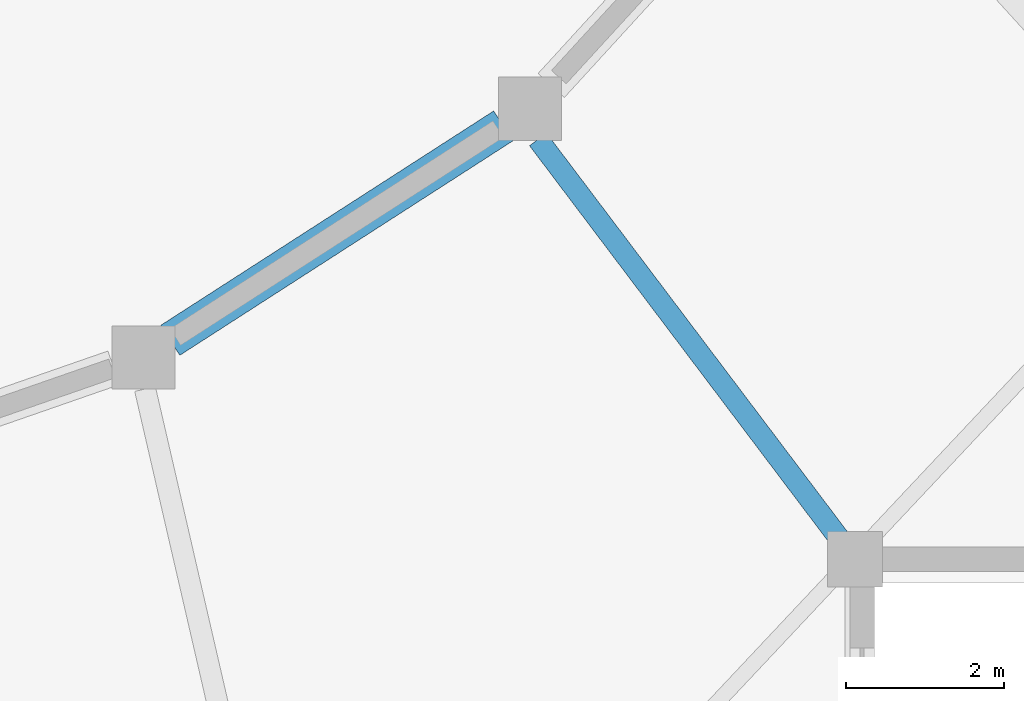
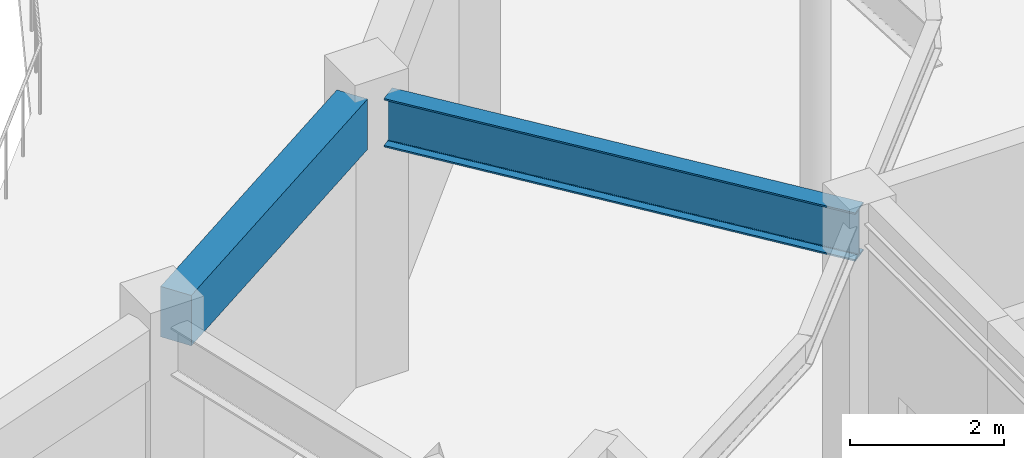
# One storey, part 14 of 58: 2 beams.
"""IFC4 building model written with IfcOpenShell, lengths in metres."""

import ifcopenshell
import ifcopenshell.guid

model = None  # the IFC model being written
_history = None  # IfcOwnerHistory: only IFC2X3 demands one
_inside = {}  # id of a spatial element -> (the spatial element, [elements in it])
_under = {}  # id of a project, library or spatial element -> (it, [spatial elements below it])
_declared = {}  # id of a project -> (the project, [libraries it declares])
_typed = {}  # id of a type object -> (the type object, [elements of that type])
_made_of = {}  # id of a material, layer set ... -> (it, [elements and type objects made of it])


def new_model(schema):
    """Start an empty IFC model of exactly this schema.

    Asked for "IFC4X3", IfcOpenShell would pick the latest addendum, in which some entities
    have other attributes; the version numbers below select the first issue.
    IFC2X3 requires an IfcOwnerHistory on every rooted entity: one is made here for all.
    """
    global model, _history
    if schema == "IFC4X3":
        model = ifcopenshell.file(schema_version=(4, 3, 0, 0))
    else:
        model = ifcopenshell.file(schema=schema)
    _inside.clear()
    _under.clear()
    _declared.clear()
    _typed.clear()
    _made_of.clear()
    _history = None
    if model.schema == "IFC2X3":
        org = make("IfcOrganization", Name="unknown")
        user = make(
            "IfcPersonAndOrganization",
            ThePerson=make("IfcPerson", FamilyName="unknown"),
            TheOrganization=org,
        )
        app = make(
            "IfcApplication",
            ApplicationDeveloper=org,
            Version="unknown",
            ApplicationFullName="unknown",
            ApplicationIdentifier="unknown",
        )
        _history = make(
            "IfcOwnerHistory",
            OwningUser=user,
            OwningApplication=app,
            ChangeAction="ADDED",
            CreationDate=0,
        )
    return model


def make(cls, **values):
    """One entity of the class cls with the attributes given. An attribute that is None is left unset."""
    return model.create_entity(
        cls, **{name: value for name, value in values.items() if value is not None}
    )


def rooted(cls, **values):
    """An entity with a GlobalId (a new one), such as an element, a storey or a relation."""
    return make(cls, GlobalId=ifcopenshell.guid.new(), OwnerHistory=_history, **values)


def si_unit(unit_type, name, prefix=None):
    """IfcSIUnit, for example si_unit("LENGTHUNIT", "METRE", prefix="MILLI")."""
    return make("IfcSIUnit", UnitType=unit_type, Prefix=prefix, Name=name)


def assignment(units):
    """IfcUnitAssignment: the units of a project."""
    return None if units is None else make("IfcUnitAssignment", Units=units)


def point(xyz):
    """IfcCartesianPoint."""
    return None if xyz is None else make("IfcCartesianPoint", Coordinates=xyz)


def direction(xyz):
    """IfcDirection."""
    return None if xyz is None else make("IfcDirection", DirectionRatios=xyz)


def frame(location, z_axis=None, x_axis=None):
    """IfcAxis2Placement3D, a coordinate frame: its origin and axes. An axis left out is left unset."""
    return make(
        "IfcAxis2Placement3D",
        Location=point(location),
        Axis=direction(z_axis),
        RefDirection=direction(x_axis),
    )


def frame_2d(location, x_axis=None):
    """IfcAxis2Placement2D, a coordinate frame in the plane: its origin and x axis."""
    return make(
        "IfcAxis2Placement2D", Location=point(location), RefDirection=direction(x_axis)
    )


def origin():
    """The frame at (0, 0, 0) with its axes left unset."""
    return frame((0.0, 0.0, 0.0))


def origin_2d():
    """The frame at (0, 0) in the plane with its x axis left unset."""
    return frame_2d((0.0, 0.0))


def place(relative_to, where):
    """IfcLocalPlacement: puts the frame where relative to a parent placement (None: the world)."""
    return make(
        "IfcLocalPlacement", PlacementRelTo=relative_to, RelativePlacement=where
    )


def context(
    kind, dimensions, precision=None, world=None, true_north=None, identifier=None
):
    """IfcGeometricRepresentationContext, for example the 3D "Model" context."""
    return make(
        "IfcGeometricRepresentationContext",
        ContextIdentifier=identifier,
        ContextType=kind,
        CoordinateSpaceDimension=dimensions,
        Precision=precision,
        WorldCoordinateSystem=world,
        TrueNorth=true_north,
    )


def subcontext(parent, identifier, kind, view, scale=None):
    """IfcGeometricRepresentationSubContext, for example "Body" below "Model"."""
    return make(
        "IfcGeometricRepresentationSubContext",
        ContextIdentifier=identifier,
        ContextType=kind,
        ParentContext=parent,
        TargetScale=scale,
        TargetView=view,
    )


def project(units=None, contexts=None):
    """IfcProject with its units and contexts."""
    return rooted(
        "IfcProject",
        Name="project",
        RepresentationContexts=contexts,
        UnitsInContext=assignment(units),
    )


def spatial(cls, under=None, at=None, **own):
    """A site, building, storey or space (cls), placed at a placement, below another one or the project."""
    s = rooted(cls, ObjectPlacement=at, **own)
    if under is not None:
        _under.setdefault(under.id(), (under, []))[1].append(s)
    return s


def profile(cls, at=None, kind="AREA", **sizes):
    """A parametric profile (cls). Its sizes go by their IFC names, for example OverallWidth=200.0."""
    return make(cls, ProfileType=kind, Position=at, **sizes)


def rectangle(**sizes):
    """IfcRectangleProfileDef."""
    return profile("IfcRectangleProfileDef", **sizes)


def i_section(**sizes):
    """IfcIShapeProfileDef."""
    return profile("IfcIShapeProfileDef", **sizes)


def extrude(swept, where, along, depth):
    """IfcExtrudedAreaSolid: the profile swept, set in the frame where, extruded along a direction by depth."""
    return make(
        "IfcExtrudedAreaSolid",
        SweptArea=swept,
        Position=where,
        ExtrudedDirection=direction(along),
        Depth=depth,
    )


def shape(context_of_items, identifier, shape_type, items):
    """IfcShapeRepresentation: the items that make up one representation, for example the "Body"."""
    return make(
        "IfcShapeRepresentation",
        ContextOfItems=context_of_items,
        RepresentationIdentifier=identifier,
        RepresentationType=shape_type,
        Items=items,
    )


def material(Name=None, Category=None):
    """IfcMaterial."""
    return make("IfcMaterial", Name=Name, Category=Category)


def material_profile(
    of_material, cross_section, Name=None, Category=None, Priority=None
):
    """IfcMaterialProfile: a cross section and its material."""
    return make(
        "IfcMaterialProfile",
        Name=Name,
        Material=of_material,
        Profile=cross_section,
        Priority=Priority,
        Category=Category,
    )


def profile_set(profiles, Name=None, composite=None):
    """IfcMaterialProfileSet."""
    return make(
        "IfcMaterialProfileSet",
        Name=Name,
        MaterialProfiles=profiles,
        CompositeProfile=composite,
    )


def made_of(thing, what):
    """Note that an element or type object is made of a material, layer set ...; save() writes the relation."""
    if what is not None:
        _made_of.setdefault(what.id(), (what, []))[1].append(thing)
    return thing


def type_object(cls, material=None, **own):
    """A type object (cls), such as IfcWallType, which elements share."""
    return made_of(rooted(cls, **own), material)


def element(
    cls,
    number,
    at=None,
    inside=None,
    cuts=None,
    type_object=None,
    material=None,
    context=None,
    identifier="Body",
    shape_type=None,
    held_by="IfcProductDefinitionShape",
    body=None,
    shapes=None,
    **own,
):
    """One element of the class cls, such as IfcWall. Its Tag is "e" and its number.

    at: its placement. inside: the storey or other place that contains it. cuts: it is an
    opening in that element (IfcRelVoidsElement). A single representation is given by context,
    identifier, shape_type and body (its items); several are given by shapes. held_by: the class
    of the entity that holds the representations. save() writes the other relations.
    """
    e = rooted(cls, Tag="e%d" % number, ObjectPlacement=at, **own)
    if body is not None:
        shapes = [shape(context, identifier, shape_type, body)]
    if shapes is not None:
        e.Representation = make(held_by, Representations=shapes)
    if inside is not None:
        _inside.setdefault(inside.id(), (inside, []))[1].append(e)
    if cuts is not None:
        rooted(
            "IfcRelVoidsElement", RelatingBuildingElement=cuts, RelatedOpeningElement=e
        )
    if type_object is not None:
        _typed.setdefault(type_object.id(), (type_object, []))[1].append(e)
    return made_of(e, material)


def aggregate(whole, parts):
    """IfcRelAggregates: a whole, such as a stair, and the parts it consists of."""
    return rooted("IfcRelAggregates", RelatingObject=whole, RelatedObjects=parts)


def save(model, path):
    """Write the relations noted so far, then the file.

    IfcRelAggregates (storeys below a building ...), IfcRelContainedInSpatialStructure (elements
    in a storey), IfcRelDefinesByType, IfcRelAssociatesMaterial and IfcRelDeclares: one each for
    every whole, place, type object, material and project.
    """
    for whole, parts in _under.values():
        aggregate(whole, parts)
    for where, things in _inside.values():
        rooted(
            "IfcRelContainedInSpatialStructure",
            RelatedElements=things,
            RelatingStructure=where,
        )
    for kind, things in _typed.values():
        rooted("IfcRelDefinesByType", RelatedObjects=things, RelatingType=kind)
    for what, things in _made_of.values():
        rooted("IfcRelAssociatesMaterial", RelatedObjects=things, RelatingMaterial=what)
    for by, libraries in _declared.values():
        rooted("IfcRelDeclares", RelatingContext=by, RelatedDefinitions=libraries)
    model.write(path)


model = new_model("IFC4")

# Units and contexts
model_context = context("Model", 3, precision=1e-05, world=origin(), true_north=direction((0.0, 1.0)))
body_context = subcontext(model_context, "Body", "Model", "MODEL_VIEW")
ifc_project = project(units=[si_unit("LENGTHUNIT", "METRE"), si_unit("AREAUNIT", "SQUARE_METRE"), si_unit("VOLUMEUNIT", "CUBIC_METRE"), si_unit("PLANEANGLEUNIT", "RADIAN"), si_unit("MASSUNIT", "GRAM", prefix="KILO")], contexts=[model_context])

# Site, building, storey
site_placement = place(None, origin())
site = spatial("IfcSite", under=ifc_project, at=site_placement, CompositionType="ELEMENT")
building_placement = place(site_placement, origin())
building = spatial("IfcBuilding", under=site, at=building_placement, Name="Parian Resonance Hall", CompositionType="ELEMENT")
storey_placement = place(building_placement, frame((0.0, 0.0, 10.199951171875)))
storey = spatial("IfcBuildingStorey", under=building, at=storey_placement, Name="L02", CompositionType="ELEMENT", Elevation=10.199951171875)

# Beams
ifc_material_1 = material(Name="Concrete C40/50", Category="concrete")
ifc_material_profile_1 = material_profile(ifc_material_1, rectangle(XDim=0.449951171875, YDim=0.800048828125, at=origin_2d()), Name="RC-BM-450x800")
ifc_profile_set_1 = profile_set([ifc_material_profile_1], Name="Concrete C40/50")
beam_type_1 = type_object("IfcBeamType", Name="BM-RC450x800", PredefinedType="USERDEFINED", material=ifc_profile_set_1)
beam_1_placement = place(storey_placement, frame((56.13623046875, 27.069091796875, 4.130126953125), z_axis=(0.840822266108, 0.541311293819, 0.0), x_axis=(-0.541311293819, 0.840822266108, 0.0)))
element("IfcBeam", 1, at=beam_1_placement, inside=storey, type_object=beam_type_1, Name="Concert hall drum ring beam L02-21", ObjectType="GIRDER", PredefinedType="USERDEFINED", context=body_context, shape_type="SweptSolid", body=[
    extrude(rectangle(XDim=0.449951171875, YDim=0.800048828125, at=origin_2d()), origin(), (0.0, 0.0, 1.0), 5.012939453125),
])
ifc_material_2 = material(Name="Steel S355", Category="steel")
ifc_material_profile_2 = material_profile(ifc_material_2, i_section(OverallWidth=0.26806640625, OverallDepth=0.77001953125, WebThickness=0.015625, FlangeThickness=0.025390625, FilletRadius=0.020263671875, at=origin_2d()), Name="W760x196")
ifc_profile_set_2 = profile_set([ifc_material_profile_2], Name="Steel S355")
beam_type_2 = type_object("IfcBeamType", Name="CG3 W760x196", PredefinedType="USERDEFINED", material=ifc_profile_set_2)
beam_2_placement = place(storey_placement, frame((60.789306640625, 29.6123046875, 4.114990234375), z_axis=(0.602549749143, -0.798081324057, 0.0), x_axis=(0.798081324057, 0.602549749143, 0.0)))
element("IfcBeam", 2, at=beam_2_placement, inside=storey, type_object=beam_type_2, Name="Radial spine girder R3-22", ObjectType="GIRDER", PredefinedType="USERDEFINED", context=body_context, shape_type="SweptSolid", body=[
    extrude(i_section(OverallWidth=0.26806640625, OverallDepth=0.77001953125, WebThickness=0.015625, FlangeThickness=0.025390625, FilletRadius=0.020263671875, at=origin_2d()), origin(), (0.0, 0.0, 1.0), 6.65625),
])

save(model, "model.ifc")
